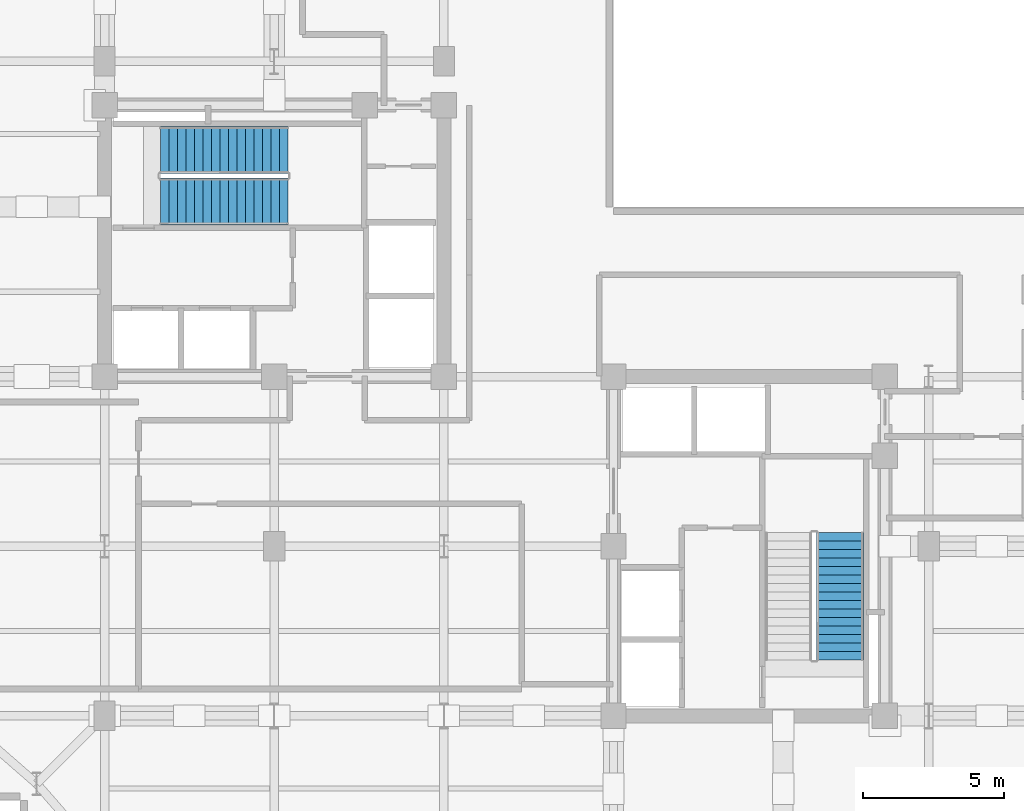
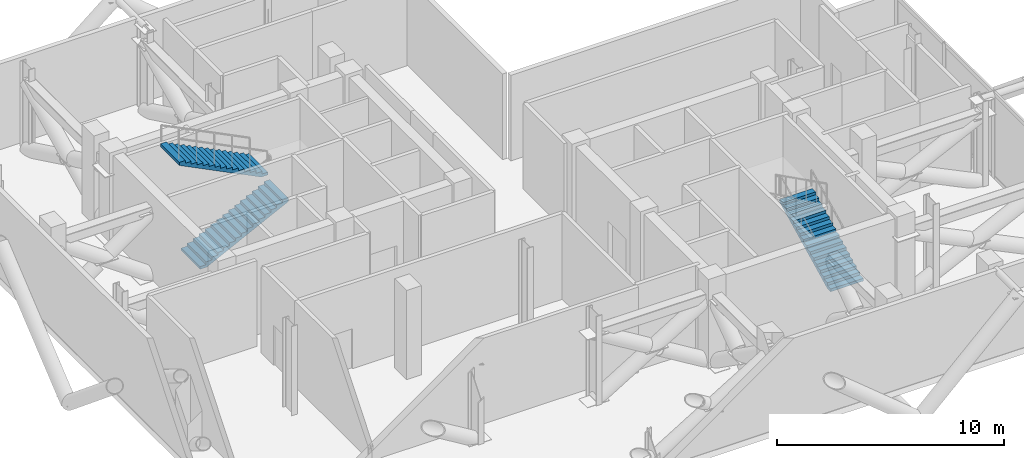
# One storey, part 7 of 8: 3 stair flights, 2 elements without a shape of their own.
"""IFC4 building model written with IfcOpenShell, lengths in metres."""

from ifc_helpers import new_model, si_unit, direction, frame, origin, place, context, subcontext, project, spatial, polyline, outline, extrude, material, type_object, element, aggregate, save


model = new_model("IFC4")

# Units and contexts
model_context = context("Model", 3, precision=1e-05, world=origin(), true_north=direction((0.0, 1.0)))
body_context = subcontext(model_context, "Body", "Model", "MODEL_VIEW")
ifc_project = project(units=[si_unit("LENGTHUNIT", "METRE"), si_unit("AREAUNIT", "SQUARE_METRE"), si_unit("VOLUMEUNIT", "CUBIC_METRE"), si_unit("PLANEANGLEUNIT", "RADIAN"), si_unit("MASSUNIT", "GRAM", prefix="KILO"), si_unit("THERMODYNAMICTEMPERATUREUNIT", "KELVIN"), si_unit("POWERUNIT", "WATT")], contexts=[model_context])

# Site, building, storey
site_placement = place(None, origin())
site = spatial("IfcSite", under=ifc_project, at=site_placement, CompositionType="ELEMENT")
building_placement = place(site_placement, origin())
building = spatial("IfcBuilding", under=site, at=building_placement, Name="Svarakhadi Broadcast Tower", CompositionType="ELEMENT")
storey_placement = place(building_placement, frame((0.0, 0.0, 234.89990234375)))
storey = spatial("IfcBuildingStorey", under=building, at=storey_placement, Name="L58", CompositionType="ELEMENT", Elevation=234.89990234375)

# Stair, stair flights
ifc_material = material(Name="Concrete C40/50 (IS 456 M50)", Category="concrete")
stair_type = type_object("IfcStairType", Name="Stair_Exit_Core", PredefinedType="HALF_TURN_STAIR", material=ifc_material)
stair_1_placement = place(storey_placement, origin())
stair_1 = element("IfcStair", 1, at=stair_1_placement, inside=storey, type_object=stair_type, Name="L58 West Core Protected Exit Stair ST-01", PredefinedType="HALF_TURN_STAIR")
stair_flight_type = type_object("IfcStairFlightType", Name="Flight_RC_1680", PredefinedType="STRAIGHT", material=ifc_material)
stair_flight_1_placement = place(storey_placement, frame((7.97998046875, 24.18994140625, 0.0), z_axis=(0.0, 0.0, 1.0), x_axis=(1.0, 0.0, 0.0)))
stair_flight_1 = element("IfcStairFlight", 2, at=stair_flight_1_placement, type_object=stair_flight_type, Name="ST-01 flight 1", NumberOfRisers=16, NumberOfTreads=15, PredefinedType="STRAIGHT", RiserHeight=0.15, TreadLength=0.3, context=body_context, shape_type="SweptSolid", body=[
    extrude(outline(polyline([(0.0, 0.0), (0.0, 0.14990234375), (0.300048828125, 0.14990234375), (0.300048828125, 0.300048828125), (0.60009765625, 0.300048828125), (0.60009765625, 0.449951171875), (0.89990234375, 0.449951171875), (0.89990234375, 0.60009765625), (1.199951171875, 0.60009765625), (1.199951171875, 0.75), (1.5, 0.75), (1.5, 0.89990234375), (1.800048828125, 0.89990234375), (1.800048828125, 1.050048828125), (2.10009765625, 1.050048828125), (2.10009765625, 1.199951171875), (2.39990234375, 1.199951171875), (2.39990234375, 1.35009765625), (2.699951171875, 1.35009765625), (2.699951171875, 1.5), (3.0, 1.5), (3.0, 1.64990234375), (3.300048828125, 1.64990234375), (3.300048828125, 1.800048828125), (3.60009765625, 1.800048828125), (3.60009765625, 1.949951171875), (3.89990234375, 1.949951171875), (3.89990234375, 2.10009765625), (4.199951171875, 2.10009765625), (4.199951171875, 2.25), (4.5, 2.25), (4.5, 2.39990234375), (4.5, 2.08251953125), (0.335205078125, 0.0), (0.0, 0.0)])), frame((0.0, 0.830078125, 0.0), z_axis=(0.0, -1.0, 0.0), x_axis=(1.0, 0.0, 0.0)), (0.0, 0.0, 1.0), 1.659912109375),
])
stair_flight_2_placement = place(storey_placement, frame((12.47998046875, 26.010009765625, 2.400146484375), z_axis=(0.0, 0.0, 1.0), x_axis=(-1.0, 0.0, 0.0)))
stair_flight_2 = element("IfcStairFlight", 3, at=stair_flight_2_placement, type_object=stair_flight_type, Name="ST-01 flight 2", NumberOfRisers=16, NumberOfTreads=15, PredefinedType="STRAIGHT", RiserHeight=0.15, TreadLength=0.3, context=body_context, shape_type="SweptSolid", body=[
    extrude(outline(polyline([(0.0, 0.0), (0.0, 0.14990234375), (0.300048828125, 0.14990234375), (0.300048828125, 0.300048828125), (0.60009765625, 0.300048828125), (0.60009765625, 0.449951171875), (0.89990234375, 0.449951171875), (0.89990234375, 0.60009765625), (1.199951171875, 0.60009765625), (1.199951171875, 0.75), (1.5, 0.75), (1.5, 0.89990234375), (1.800048828125, 0.89990234375), (1.800048828125, 1.050048828125), (2.10009765625, 1.050048828125), (2.10009765625, 1.199951171875), (2.39990234375, 1.199951171875), (2.39990234375, 1.35009765625), (2.699951171875, 1.35009765625), (2.699951171875, 1.5), (3.0, 1.5), (3.0, 1.64990234375), (3.300048828125, 1.64990234375), (3.300048828125, 1.800048828125), (3.60009765625, 1.800048828125), (3.60009765625, 1.949951171875), (3.89990234375, 1.949951171875), (3.89990234375, 2.10009765625), (4.199951171875, 2.10009765625), (4.199951171875, 2.25), (4.5, 2.25), (4.5, 2.39990234375), (4.5, 2.08251953125), (0.335205078125, 0.0), (0.0, 0.0)])), frame((0.0, 0.830078125, 0.0), z_axis=(0.0, -1.0, 0.0), x_axis=(1.0, 0.0, 0.0)), (0.0, 0.0, 1.0), 1.659912109375),
])
aggregate(stair_1, [stair_flight_1, stair_flight_2])

# Stair, stair flight
stair_2_placement = place(storey_placement, origin())
stair_2 = element("IfcStair", 4, at=stair_2_placement, inside=storey, type_object=stair_type, Name="L58 East Core Protected Exit Stair ST-02", PredefinedType="HALF_TURN_STAIR")
stair_flight_3_placement = place(storey_placement, frame((32.010009765625, 7.97998046875, 0.0), z_axis=(0.0, 0.0, 1.0), x_axis=(0.0, 1.0, 0.0)))
stair_flight_3 = element("IfcStairFlight", 5, at=stair_flight_3_placement, type_object=stair_flight_type, Name="ST-02 flight 1", NumberOfRisers=16, NumberOfTreads=15, PredefinedType="STRAIGHT", RiserHeight=0.15, TreadLength=0.3, context=body_context, shape_type="SweptSolid", body=[
    extrude(outline(polyline([(0.0, 0.0), (0.0, 0.14990234375), (0.300048828125, 0.14990234375), (0.300048828125, 0.300048828125), (0.60009765625, 0.300048828125), (0.60009765625, 0.449951171875), (0.89990234375, 0.449951171875), (0.89990234375, 0.60009765625), (1.199951171875, 0.60009765625), (1.199951171875, 0.75), (1.5, 0.75), (1.5, 0.89990234375), (1.800048828125, 0.89990234375), (1.800048828125, 1.050048828125), (2.10009765625, 1.050048828125), (2.10009765625, 1.199951171875), (2.39990234375, 1.199951171875), (2.39990234375, 1.35009765625), (2.699951171875, 1.35009765625), (2.699951171875, 1.5), (3.0, 1.5), (3.0, 1.64990234375), (3.300048828125, 1.64990234375), (3.300048828125, 1.800048828125), (3.60009765625, 1.800048828125), (3.60009765625, 1.949951171875), (3.89990234375, 1.949951171875), (3.89990234375, 2.10009765625), (4.199951171875, 2.10009765625), (4.199951171875, 2.25), (4.5, 2.25), (4.5, 2.39990234375), (4.5, 2.08251953125), (0.335205078125, 0.0), (0.0, 0.0)])), frame((0.0, 0.830078125, 0.0), z_axis=(0.0, -1.0, 0.0), x_axis=(1.0, 0.0, 0.0)), (0.0, 0.0, 1.0), 1.659912109375),
])
aggregate(stair_2, [stair_flight_3])

save(model, "model.ifc")
